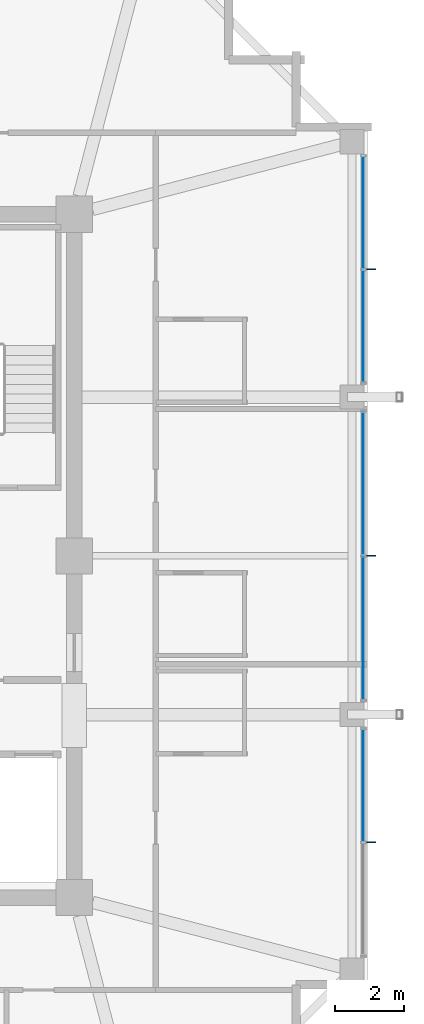
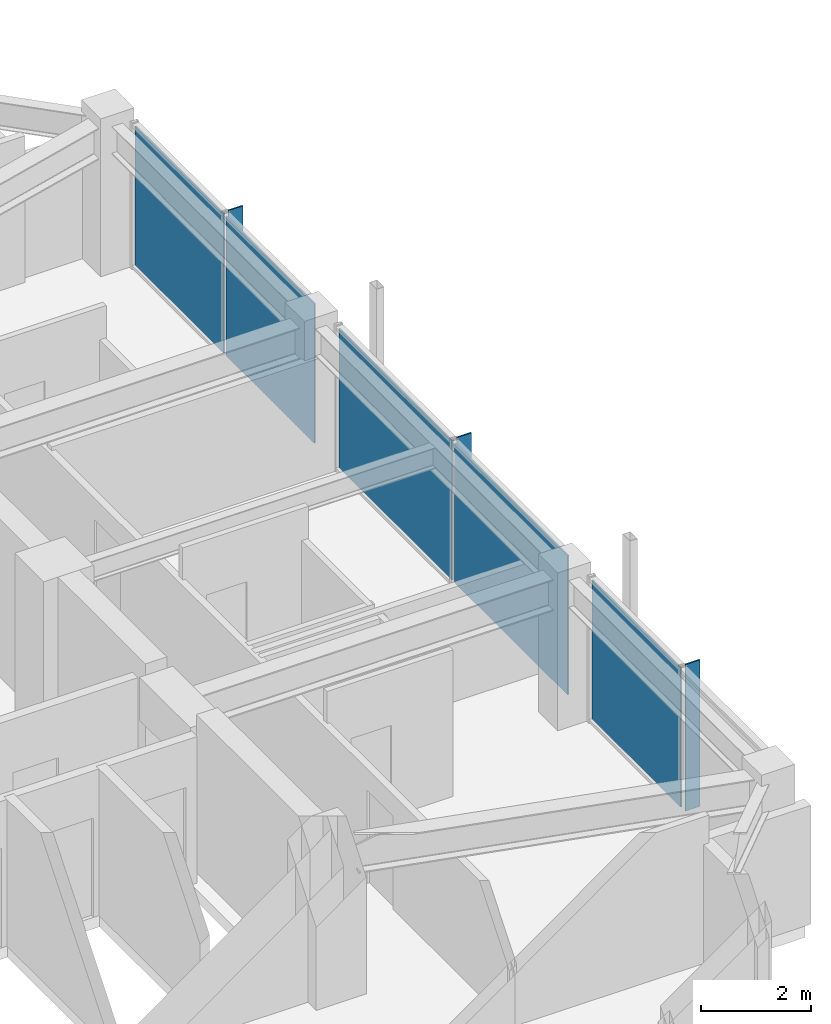
# One storey, part 24 of 31: 8 plates, 3 elements without a shape of their own.
"""IFC4 building model written with IfcOpenShell, lengths in metres."""

from ifc_helpers import new_model, si_unit, direction, frame, origin, origin_2d, place, context, subcontext, project, spatial, rectangle, extrude, material, layer, layer_set, type_object, element, aggregate, save


model = new_model("IFC4")

# Units and contexts
model_context = context("Model", 3, precision=1e-05, world=origin(), true_north=direction((0.0, 1.0)))
body_context = subcontext(model_context, "Body", "Model", "MODEL_VIEW")
ifc_project = project(units=[si_unit("LENGTHUNIT", "METRE"), si_unit("AREAUNIT", "SQUARE_METRE"), si_unit("VOLUMEUNIT", "CUBIC_METRE"), si_unit("PLANEANGLEUNIT", "RADIAN"), si_unit("MASSUNIT", "GRAM", prefix="KILO")], contexts=[model_context])

# Site, building, storey
site_placement = place(None, origin())
site = spatial("IfcSite", under=ifc_project, at=site_placement, CompositionType="ELEMENT")
building_placement = place(site_placement, origin())
building = spatial("IfcBuilding", under=site, at=building_placement, Name="Kolvaren Belvedere", CompositionType="ELEMENT")
storey_placement = place(building_placement, frame((0.0, 0.0, 247.89990234375)))
storey = spatial("IfcBuildingStorey", under=building, at=storey_placement, Name="L72", CompositionType="ELEMENT", Elevation=247.89990234375)

# Curtain wall, plates
ifc_material_1 = material(Name="Anodised pale-metal aluminium AA 6063-T6", Category="aluminium")
curtain_wall_type = type_object("IfcCurtainWallType", Name="CW-Z5-HIGH", PredefinedType="NOTDEFINED", material=ifc_material_1)
curtain_wall_1_placement = place(storey_placement, origin())
curtain_wall_1 = element("IfcCurtainWall", 1, at=curtain_wall_1_placement, inside=storey, type_object=curtain_wall_type, Name="L72 Unitised Curtain Wall FCW-L72-E-B1", PredefinedType="NOTDEFINED")
ifc_material_2 = material(Name="Low-iron triple insulated glass", Category="glass")
ifc_layer_1 = layer(ifc_material_2, 0.028076171875)
ifc_layer_set_1 = layer_set([ifc_layer_1], Name="Low-iron triple insulated glass")
plate_type_1 = type_object("IfcPlateType", Name="CW-PNL-VIS28", PredefinedType="CURTAIN_PANEL", material=ifc_layer_set_1)
plate_1_placement = place(storey_placement, frame((18.280029296875, 9.947509765625, 0.080078125), z_axis=(0.0, 0.0, 1.0), x_axis=(0.0, -1.0, 0.0)))
plate_1 = element("IfcPlate", 2, at=plate_1_placement, type_object=plate_type_1, Name="FCW-L72-E-B1 Vision Glazing Panel 1", PredefinedType="CURTAIN_PANEL", context=body_context, shape_type="SweptSolid", body=[
    extrude(rectangle(XDim=3.215087890625, YDim=0.028076171875, at=origin_2d()), origin(), (0.0, 0.0, 1.0), 3.090087890625),
])
plate_2_placement = place(storey_placement, frame((18.280029296875, 6.652587890625, 0.080078125), z_axis=(0.0, 0.0, 1.0), x_axis=(0.0, -1.0, 0.0)))
plate_2 = element("IfcPlate", 3, at=plate_2_placement, type_object=plate_type_1, Name="FCW-L72-E-B1 Vision Glazing Panel 2", PredefinedType="CURTAIN_PANEL", context=body_context, shape_type="SweptSolid", body=[
    extrude(rectangle(XDim=3.215087890625, YDim=0.028076171875, at=origin_2d()), origin(), (0.0, 0.0, 1.0), 3.090087890625),
])
aggregate(curtain_wall_1, [plate_1, plate_2])

curtain_wall_2_placement = place(storey_placement, origin())
curtain_wall_2 = element("IfcCurtainWall", 4, at=curtain_wall_2_placement, inside=storey, type_object=curtain_wall_type, Name="L72 Unitised Curtain Wall FCW-L72-E-B2", PredefinedType="NOTDEFINED")
plate_3_placement = place(storey_placement, frame((18.280029296875, 2.097412109375, 0.080078125), z_axis=(0.0, 0.0, 1.0), x_axis=(0.0, -1.0, 0.0)))
plate_3 = element("IfcPlate", 5, at=plate_3_placement, type_object=plate_type_1, Name="FCW-L72-E-B2 Vision Glazing Panel 1", PredefinedType="CURTAIN_PANEL", context=body_context, shape_type="SweptSolid", body=[
    extrude(rectangle(XDim=4.114990234375, YDim=0.028076171875, at=origin_2d()), origin(), (0.0, 0.0, 1.0), 3.090087890625),
])
plate_4_placement = place(storey_placement, frame((18.280029296875, -2.097412109375, 0.080078125), z_axis=(0.0, 0.0, 1.0), x_axis=(0.0, -1.0, 0.0)))
plate_4 = element("IfcPlate", 6, at=plate_4_placement, type_object=plate_type_1, Name="FCW-L72-E-B2 Vision Glazing Panel 2", PredefinedType="CURTAIN_PANEL", context=body_context, shape_type="SweptSolid", body=[
    extrude(rectangle(XDim=4.114990234375, YDim=0.028076171875, at=origin_2d()), origin(), (0.0, 0.0, 1.0), 3.090087890625),
])
aggregate(curtain_wall_2, [plate_3, plate_4])

# Curtain wall, plate
curtain_wall_3_placement = place(storey_placement, origin())
curtain_wall_3 = element("IfcCurtainWall", 7, at=curtain_wall_3_placement, inside=storey, type_object=curtain_wall_type, Name="L72 Unitised Curtain Wall FCW-L72-E-B3", PredefinedType="NOTDEFINED")
plate_5_placement = place(storey_placement, frame((18.280029296875, -6.652587890625, 0.080078125), z_axis=(0.0, 0.0, 1.0), x_axis=(0.0, -1.0, 0.0)))
plate_5 = element("IfcPlate", 8, at=plate_5_placement, type_object=plate_type_1, Name="FCW-L72-E-B3 Vision Glazing Panel 1", PredefinedType="CURTAIN_PANEL", context=body_context, shape_type="SweptSolid", body=[
    extrude(rectangle(XDim=3.215087890625, YDim=0.028076171875, at=origin_2d()), origin(), (0.0, 0.0, 1.0), 3.090087890625),
])
aggregate(curtain_wall_3, [plate_5])

# Plates
ifc_material_3 = material(Name="Anodised pale-metal aluminium AA 6063-T6", Category="aluminium")
ifc_layer_2 = layer(ifc_material_3, 0.030029296875)
ifc_layer_set_2 = layer_set([ifc_layer_2], Name="Anodised pale-metal aluminium AA 6063-T6")
plate_type_2 = type_object("IfcPlateType", Name="FIN-VERT-300", PredefinedType="USERDEFINED", material=ifc_layer_set_2)
for number, where, z_axis, x_axis, name in (
    (9, (18.489990234375, 8.300048828125, 0.0), (0.0, 0.0, 1.0), (1.0, 0.0, 0.0), "L72 Pale-Metal Vertical Shading Fin FCW-L72-E-B1-1"),
    (10, (18.489990234375, 0.0, 0.0), (0.0, 0.0, 1.0), (1.0, 0.0, 0.0), "L72 Pale-Metal Vertical Shading Fin FCW-L72-E-B2-1"),
    (11, (18.489990234375, -8.300048828125, 0.0), (0.0, 0.0, 1.0), (1.0, 0.0, 0.0), "L72 Pale-Metal Vertical Shading Fin FCW-L72-E-B3-1"),
):
    element("IfcPlate", number, at=place(storey_placement, frame(where, z_axis=z_axis, x_axis=x_axis)), inside=storey, type_object=plate_type_2, Name=name, ObjectType="VERTICAL FIN", PredefinedType="USERDEFINED", context=body_context, shape_type="SweptSolid", body=[
        extrude(rectangle(XDim=0.300048828125, YDim=0.030029296875, at=origin_2d()), origin(), (0.0, 0.0, 1.0), 3.25),
    ])

save(model, "model.ifc")
